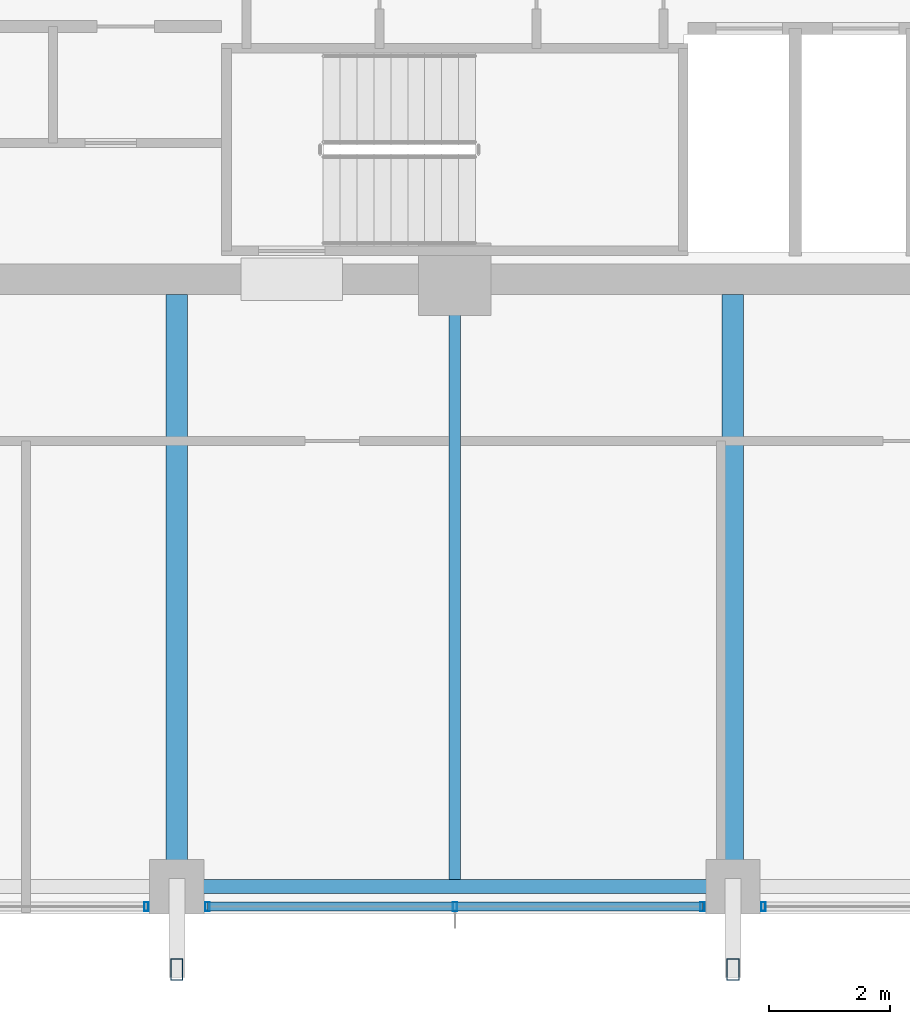
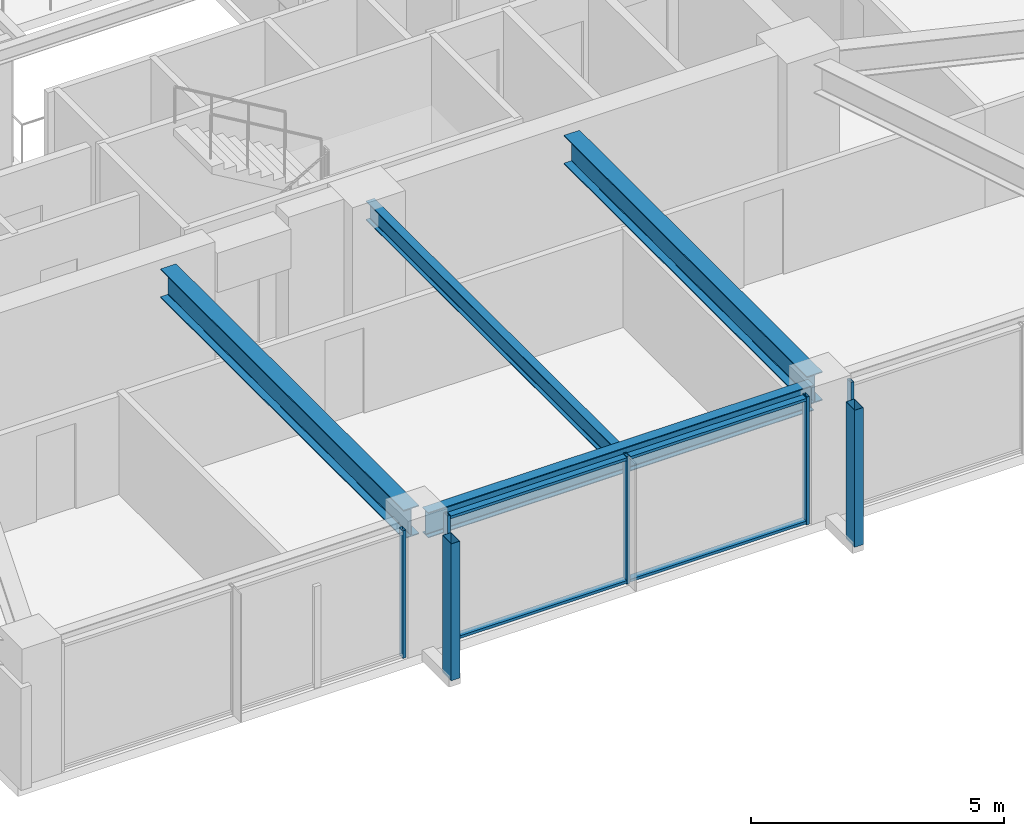
# One storey, part 4 of 35: 9 members, 4 beams, 3 elements without a shape of their own.
"""IFC4 building model written with IfcOpenShell, lengths in metres."""

from ifc_helpers import new_model, si_unit, direction, frame, origin, origin_2d, place, context, subcontext, project, spatial, hollow_rectangle, i_section, extrude, material, material_profile, profile_set, type_object, element, aggregate, save


model = new_model("IFC4")

# Units and contexts
model_context = context("Model", 3, precision=1e-05, world=origin(), true_north=direction((0.0, 1.0)))
body_context = subcontext(model_context, "Body", "Model", "MODEL_VIEW")
ifc_project = project(units=[si_unit("LENGTHUNIT", "METRE"), si_unit("AREAUNIT", "SQUARE_METRE"), si_unit("VOLUMEUNIT", "CUBIC_METRE"), si_unit("PLANEANGLEUNIT", "RADIAN"), si_unit("MASSUNIT", "GRAM", prefix="KILO")], contexts=[model_context])

# Site, building, storey
site_placement = place(None, origin())
site = spatial("IfcSite", under=ifc_project, at=site_placement, CompositionType="ELEMENT")
building_placement = place(site_placement, origin())
building = spatial("IfcBuilding", under=site, at=building_placement, Name="Kolvaren Belvedere", CompositionType="ELEMENT")
storey_placement = place(building_placement, frame((0.0, 0.0, 183.300048828125)))
storey = spatial("IfcBuildingStorey", under=building, at=storey_placement, Name="L53", CompositionType="ELEMENT", Elevation=183.300048828125)

# Beams
ifc_material_1 = material(Name="Structural steel ASTM A992 Grade 50", Category="steel")
ifc_material_profile_1 = material_profile(ifc_material_1, i_section(OverallWidth=0.35498046875, OverallDepth=0.696044921875, WebThickness=0.015380859375, FlangeThickness=0.02490234375, FilletRadius=0.02197265625, at=origin_2d()), Name="W27X146")
ifc_profile_set_1 = profile_set([ifc_material_profile_1], Name="Structural steel ASTM A992 Grade 50")
beam_type_1 = type_object("IfcBeamType", Name="BM-GIRD-W27X146", PredefinedType="BEAM", material=ifc_profile_set_1)
for number, where, z_axis, x_axis, name in (
    (1, (4.60009765625, -10.14990234375, 2.73193359375), (0.0, -1.0, 0.0), (1.0, 0.0, 0.0), "L53 South Radial Girder P"),
    (2, (-4.60009765625, -10.14990234375, 2.73193359375), (0.0, -1.0, 0.0), (1.0, 0.0, 0.0), "L53 South Radial Girder M"),
):
    element("IfcBeam", number, at=place(storey_placement, frame(where, z_axis=z_axis, x_axis=x_axis)), inside=storey, type_object=beam_type_1, Name=name, PredefinedType="BEAM", context=body_context, shape_type="SweptSolid", body=[
        extrude(i_section(OverallWidth=0.35498046875, OverallDepth=0.696044921875, WebThickness=0.015380859375, FlangeThickness=0.02490234375, FilletRadius=0.02197265625, at=origin_2d()), origin(), (0.0, 0.0, 1.0), 9.59765625),
    ])
ifc_material_2 = material(Name="Structural steel ASTM A992 Grade 50", Category="steel")
ifc_material_profile_2 = material_profile(ifc_material_2, i_section(OverallWidth=0.19091796875, OverallDepth=0.4599609375, WebThickness=0.010009765625, FlangeThickness=0.01611328125, FilletRadius=0.014892578125, at=origin_2d()), Name="W18X55")
ifc_profile_set_2 = profile_set([ifc_material_profile_2], Name="Structural steel ASTM A992 Grade 50")
beam_type_2 = type_object("IfcBeamType", Name="BM-JOIST-W18X55", PredefinedType="BEAM", material=ifc_profile_set_2)
beam_1_placement = place(storey_placement, frame((0.0, -10.14990234375, 2.849853515625), z_axis=(0.0, -1.0, 0.0), x_axis=(1.0, 0.0, 0.0)))
element("IfcBeam", 3, at=beam_1_placement, inside=storey, type_object=beam_type_2, Name="L53 South Centre Floor Beam", PredefinedType="BEAM", context=body_context, shape_type="SweptSolid", body=[
    extrude(i_section(OverallWidth=0.19091796875, OverallDepth=0.4599609375, WebThickness=0.010009765625, FlangeThickness=0.01611328125, FilletRadius=0.014892578125, at=origin_2d()), origin(), (0.0, 0.0, 1.0), 9.685546875),
])
ifc_material_3 = material(Name="Structural steel ASTM A992 Grade 50", Category="steel")
ifc_material_profile_3 = material_profile(ifc_material_3, i_section(OverallWidth=0.22900390625, OverallDepth=0.612060546875, WebThickness=0.011962890625, FlangeThickness=0.01953125, FilletRadius=0.01806640625, at=origin_2d()), Name="W24X84")
ifc_profile_set_3 = profile_set([ifc_material_profile_3], Name="Structural steel ASTM A992 Grade 50")
beam_type_3 = type_object("IfcBeamType", Name="BM-SPAN-W24X84", PredefinedType="SPANDREL", material=ifc_profile_set_3)
beam_2_placement = place(storey_placement, frame((-4.3974609375, -19.949951171875, 2.77392578125), z_axis=(1.0, 0.0, 0.0), x_axis=(0.0, 1.0, 0.0)))
element("IfcBeam", 4, at=beam_2_placement, inside=storey, type_object=beam_type_3, Name="L53 Perimeter Spandrel S2-S3", PredefinedType="SPANDREL", context=body_context, shape_type="SweptSolid", body=[
    extrude(i_section(OverallWidth=0.22900390625, OverallDepth=0.612060546875, WebThickness=0.011962890625, FlangeThickness=0.01953125, FilletRadius=0.01806640625, at=origin_2d()), origin(), (0.0, 0.0, 1.0), 8.794921875),
])

# Curtain wall, member
ifc_material_4 = material(Name="Anodised pale-metal aluminium AA 6063-T6", Category="aluminium")
curtain_wall_type = type_object("IfcCurtainWallType", Name="CW-Z5-HIGH", PredefinedType="NOTDEFINED", material=ifc_material_4)
curtain_wall_1_placement = place(storey_placement, origin())
curtain_wall_1 = element("IfcCurtainWall", 5, at=curtain_wall_1_placement, inside=storey, type_object=curtain_wall_type, Name="L53 Unitised Curtain Wall FCW-L53-S-B1", PredefinedType="NOTDEFINED")
ifc_material_5 = material(Name="Anodised pale-metal aluminium AA 6063-T6", Category="aluminium")
ifc_material_profile_4 = material_profile(ifc_material_5, hollow_rectangle(XDim=0.070068359375, YDim=0.14990234375, WallThickness=0.004150390625, at=origin_2d()), Name="ALU-MUL-150X70")
ifc_profile_set_4 = profile_set([ifc_material_profile_4], Name="Anodised pale-metal aluminium AA 6063-T6")
member_type_1 = type_object("IfcMemberType", Name="CW-MUL-150", PredefinedType="MULLION", material=ifc_profile_set_4)
member_1_placement = place(storey_placement, frame((5.10498046875, -20.280029296875, 0.0), z_axis=(0.0, 0.0, 1.0), x_axis=(1.0, 0.0, 0.0)))
member_1 = element("IfcMember", 6, at=member_1_placement, type_object=member_type_1, Name="FCW-L53-S-B1 Unitised Mullion 3", PredefinedType="MULLION", context=body_context, shape_type="SweptSolid", body=[
    extrude(hollow_rectangle(XDim=0.070068359375, YDim=0.14990234375, WallThickness=0.004150390625, at=origin_2d()), origin(), (0.0, 0.0, 1.0), 3.079833984375),
])
aggregate(curtain_wall_1, [member_1])

# Curtain wall, members
curtain_wall_2_placement = place(storey_placement, origin())
curtain_wall_2 = element("IfcCurtainWall", 7, at=curtain_wall_2_placement, inside=storey, type_object=curtain_wall_type, Name="L53 Unitised Curtain Wall FCW-L53-S-B2", PredefinedType="NOTDEFINED")
member_2_placement = place(storey_placement, frame((4.094970703125, -20.280029296875, 0.0), z_axis=(0.0, 0.0, 1.0), x_axis=(1.0, 0.0, 0.0)))
member_2 = element("IfcMember", 8, at=member_2_placement, type_object=member_type_1, Name="FCW-L53-S-B2 Unitised Mullion 1", PredefinedType="MULLION", context=body_context, shape_type="SweptSolid", body=[
    extrude(hollow_rectangle(XDim=0.070068359375, YDim=0.14990234375, WallThickness=0.004150390625, at=origin_2d()), origin(), (0.0, 0.0, 1.0), 3.079833984375),
])
member_3_placement = place(storey_placement, frame((0.0, -20.280029296875, 0.0), z_axis=(0.0, 0.0, 1.0), x_axis=(1.0, 0.0, 0.0)))
member_3 = element("IfcMember", 9, at=member_3_placement, type_object=member_type_1, Name="FCW-L53-S-B2 Unitised Mullion 2", PredefinedType="MULLION", context=body_context, shape_type="SweptSolid", body=[
    extrude(hollow_rectangle(XDim=0.070068359375, YDim=0.14990234375, WallThickness=0.004150390625, at=origin_2d()), origin(), (0.0, 0.0, 1.0), 3.079833984375),
])
member_4_placement = place(storey_placement, frame((-4.094970703125, -20.280029296875, 0.0), z_axis=(0.0, 0.0, 1.0), x_axis=(1.0, 0.0, 0.0)))
member_4 = element("IfcMember", 10, at=member_4_placement, type_object=member_type_1, Name="FCW-L53-S-B2 Unitised Mullion 3", PredefinedType="MULLION", context=body_context, shape_type="SweptSolid", body=[
    extrude(hollow_rectangle(XDim=0.070068359375, YDim=0.14990234375, WallThickness=0.004150390625, at=origin_2d()), origin(), (0.0, 0.0, 1.0), 3.079833984375),
])

# Curtain wall, member
curtain_wall_3_placement = place(storey_placement, origin())
curtain_wall_3 = element("IfcCurtainWall", 11, at=curtain_wall_3_placement, inside=storey, type_object=curtain_wall_type, Name="L53 Unitised Curtain Wall FCW-L53-S-B3", PredefinedType="NOTDEFINED")
member_5_placement = place(storey_placement, frame((-5.10498046875, -20.280029296875, 0.0), z_axis=(0.0, 0.0, 1.0), x_axis=(1.0, 0.0, 0.0)))
member_5 = element("IfcMember", 12, at=member_5_placement, type_object=member_type_1, Name="FCW-L53-S-B3 Unitised Mullion 1", PredefinedType="MULLION", context=body_context, shape_type="SweptSolid", body=[
    extrude(hollow_rectangle(XDim=0.070068359375, YDim=0.14990234375, WallThickness=0.004150390625, at=origin_2d()), origin(), (0.0, 0.0, 1.0), 3.079833984375),
])
aggregate(curtain_wall_3, [member_5])

# Member
ifc_material_6 = material(Name="Anodised pale-metal aluminium AA 6063-T6", Category="aluminium")
ifc_material_profile_5 = material_profile(ifc_material_6, hollow_rectangle(XDim=0.06494140625, YDim=0.14990234375, WallThickness=0.00390625, at=origin_2d()), Name="ALU-TRN-150X65")
ifc_profile_set_5 = profile_set([ifc_material_profile_5], Name="Anodised pale-metal aluminium AA 6063-T6")
member_type_2 = type_object("IfcMemberType", Name="CW-TRN-150", PredefinedType="USERDEFINED", material=ifc_profile_set_5)
member_6_placement = place(storey_placement, frame((4.094970703125, -20.280029296875, 0.06005859375), z_axis=(-1.0, 0.0, 0.0), x_axis=(0.0, 0.0, 1.0)))
member_6 = element("IfcMember", 13, at=member_6_placement, type_object=member_type_2, Name="FCW-L53-S-B2 Sill Transom", ObjectType="TRANSOM", PredefinedType="USERDEFINED", context=body_context, shape_type="SweptSolid", body=[
    extrude(hollow_rectangle(XDim=0.06494140625, YDim=0.14990234375, WallThickness=0.00390625, at=origin_2d()), origin(), (0.0, 0.0, 1.0), 8.18994140625),
])

member_7_placement = place(storey_placement, frame((4.094970703125, -20.280029296875, 3.02001953125), z_axis=(-1.0, 0.0, 0.0), x_axis=(0.0, 0.0, 1.0)))
member_7 = element("IfcMember", 14, at=member_7_placement, type_object=member_type_2, Name="FCW-L53-S-B2 Head Transom", ObjectType="TRANSOM", PredefinedType="USERDEFINED", context=body_context, shape_type="SweptSolid", body=[
    extrude(hollow_rectangle(XDim=0.06494140625, YDim=0.14990234375, WallThickness=0.00390625, at=origin_2d()), origin(), (0.0, 0.0, 1.0), 8.18994140625),
])

aggregate(curtain_wall_2, [member_2, member_3, member_4, member_6, member_7])

# Members
ifc_material_7 = material(Name="Anodised pale-metal aluminium AA 6063-T6", Category="aluminium")
ifc_material_profile_6 = material_profile(ifc_material_7, hollow_rectangle(XDim=0.199951171875, YDim=0.35009765625, WallThickness=0.007568359375, at=origin_2d()), Name="ALU-PF-350X200")
ifc_profile_set_6 = profile_set([ifc_material_profile_6], Name="Anodised pale-metal aluminium AA 6063-T6")
member_type_3 = type_object("IfcMemberType", Name="PF-FRAME-350", PredefinedType="USERDEFINED", material=ifc_profile_set_6)
for number, where, z_axis, x_axis, name in (
    (15, (4.60009765625, -21.320068359375, 0.0), (0.0, 0.0, 1.0), (1.0, 0.0, 0.0), "L53 Outboard Picture-Frame Vertical S1"),
    (16, (-4.60009765625, -21.320068359375, 0.0), (0.0, 0.0, 1.0), (1.0, 0.0, 0.0), "L53 Outboard Picture-Frame Vertical S2"),
):
    element("IfcMember", number, at=place(storey_placement, frame(where, z_axis=z_axis, x_axis=x_axis)), inside=storey, type_object=member_type_3, Name=name, ObjectType="PICTURE FRAME FIN", PredefinedType="USERDEFINED", context=body_context, shape_type="SweptSolid", body=[
        extrude(hollow_rectangle(XDim=0.199951171875, YDim=0.35009765625, WallThickness=0.007568359375, at=origin_2d()), origin(), (0.0, 0.0, 1.0), 3.300048828125),
    ])

save(model, "model.ifc")
